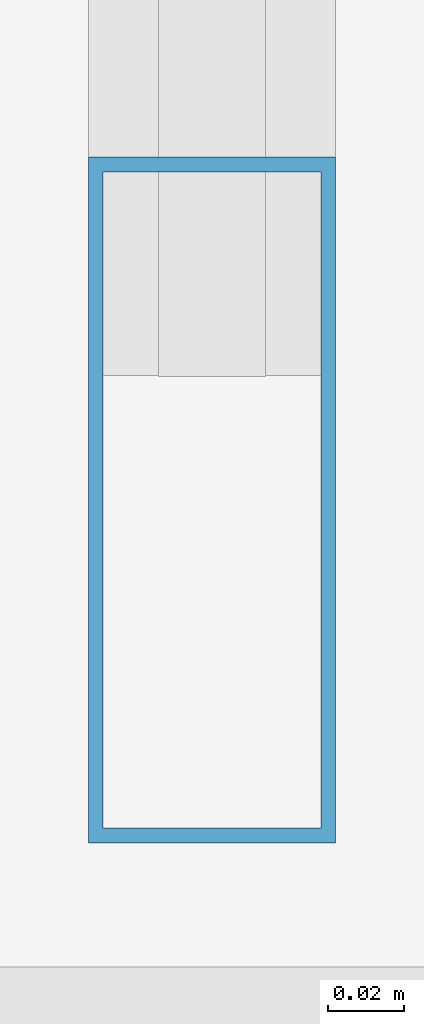
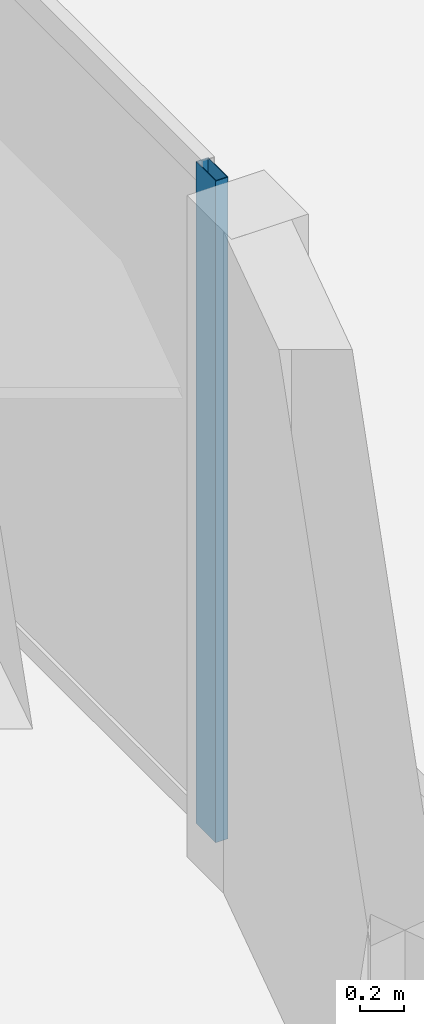
# One storey, part 14 of 38: 1 member, 1 element without a shape of its own.
"""IFC4 building model written with IfcOpenShell, lengths in metres."""

import ifcopenshell
import ifcopenshell.guid

model = None  # the IFC model being written
_history = None  # IfcOwnerHistory: only IFC2X3 demands one
_inside = {}  # id of a spatial element -> (the spatial element, [elements in it])
_under = {}  # id of a project, library or spatial element -> (it, [spatial elements below it])
_declared = {}  # id of a project -> (the project, [libraries it declares])
_typed = {}  # id of a type object -> (the type object, [elements of that type])
_made_of = {}  # id of a material, layer set ... -> (it, [elements and type objects made of it])


def new_model(schema):
    """Start an empty IFC model of exactly this schema.

    Asked for "IFC4X3", IfcOpenShell would pick the latest addendum, in which some entities
    have other attributes; the version numbers below select the first issue.
    IFC2X3 requires an IfcOwnerHistory on every rooted entity: one is made here for all.
    """
    global model, _history
    if schema == "IFC4X3":
        model = ifcopenshell.file(schema_version=(4, 3, 0, 0))
    else:
        model = ifcopenshell.file(schema=schema)
    _inside.clear()
    _under.clear()
    _declared.clear()
    _typed.clear()
    _made_of.clear()
    _history = None
    if model.schema == "IFC2X3":
        org = make("IfcOrganization", Name="unknown")
        user = make(
            "IfcPersonAndOrganization",
            ThePerson=make("IfcPerson", FamilyName="unknown"),
            TheOrganization=org,
        )
        app = make(
            "IfcApplication",
            ApplicationDeveloper=org,
            Version="unknown",
            ApplicationFullName="unknown",
            ApplicationIdentifier="unknown",
        )
        _history = make(
            "IfcOwnerHistory",
            OwningUser=user,
            OwningApplication=app,
            ChangeAction="ADDED",
            CreationDate=0,
        )
    return model


def make(cls, **values):
    """One entity of the class cls with the attributes given. An attribute that is None is left unset."""
    return model.create_entity(
        cls, **{name: value for name, value in values.items() if value is not None}
    )


def rooted(cls, **values):
    """An entity with a GlobalId (a new one), such as an element, a storey or a relation."""
    return make(cls, GlobalId=ifcopenshell.guid.new(), OwnerHistory=_history, **values)


def si_unit(unit_type, name, prefix=None):
    """IfcSIUnit, for example si_unit("LENGTHUNIT", "METRE", prefix="MILLI")."""
    return make("IfcSIUnit", UnitType=unit_type, Prefix=prefix, Name=name)


def assignment(units):
    """IfcUnitAssignment: the units of a project."""
    return None if units is None else make("IfcUnitAssignment", Units=units)


def point(xyz):
    """IfcCartesianPoint."""
    return None if xyz is None else make("IfcCartesianPoint", Coordinates=xyz)


def direction(xyz):
    """IfcDirection."""
    return None if xyz is None else make("IfcDirection", DirectionRatios=xyz)


def frame(location, z_axis=None, x_axis=None):
    """IfcAxis2Placement3D, a coordinate frame: its origin and axes. An axis left out is left unset."""
    return make(
        "IfcAxis2Placement3D",
        Location=point(location),
        Axis=direction(z_axis),
        RefDirection=direction(x_axis),
    )


def frame_2d(location, x_axis=None):
    """IfcAxis2Placement2D, a coordinate frame in the plane: its origin and x axis."""
    return make(
        "IfcAxis2Placement2D", Location=point(location), RefDirection=direction(x_axis)
    )


def origin():
    """The frame at (0, 0, 0) with its axes left unset."""
    return frame((0.0, 0.0, 0.0))


def origin_2d():
    """The frame at (0, 0) in the plane with its x axis left unset."""
    return frame_2d((0.0, 0.0))


def place(relative_to, where):
    """IfcLocalPlacement: puts the frame where relative to a parent placement (None: the world)."""
    return make(
        "IfcLocalPlacement", PlacementRelTo=relative_to, RelativePlacement=where
    )


def context(
    kind, dimensions, precision=None, world=None, true_north=None, identifier=None
):
    """IfcGeometricRepresentationContext, for example the 3D "Model" context."""
    return make(
        "IfcGeometricRepresentationContext",
        ContextIdentifier=identifier,
        ContextType=kind,
        CoordinateSpaceDimension=dimensions,
        Precision=precision,
        WorldCoordinateSystem=world,
        TrueNorth=true_north,
    )


def subcontext(parent, identifier, kind, view, scale=None):
    """IfcGeometricRepresentationSubContext, for example "Body" below "Model"."""
    return make(
        "IfcGeometricRepresentationSubContext",
        ContextIdentifier=identifier,
        ContextType=kind,
        ParentContext=parent,
        TargetScale=scale,
        TargetView=view,
    )


def project(units=None, contexts=None):
    """IfcProject with its units and contexts."""
    return rooted(
        "IfcProject",
        Name="project",
        RepresentationContexts=contexts,
        UnitsInContext=assignment(units),
    )


def spatial(cls, under=None, at=None, **own):
    """A site, building, storey or space (cls), placed at a placement, below another one or the project."""
    s = rooted(cls, ObjectPlacement=at, **own)
    if under is not None:
        _under.setdefault(under.id(), (under, []))[1].append(s)
    return s


def profile(cls, at=None, kind="AREA", **sizes):
    """A parametric profile (cls). Its sizes go by their IFC names, for example OverallWidth=200.0."""
    return make(cls, ProfileType=kind, Position=at, **sizes)


def hollow_rectangle(**sizes):
    """IfcRectangleHollowProfileDef."""
    return profile("IfcRectangleHollowProfileDef", **sizes)


def extrude(swept, where, along, depth):
    """IfcExtrudedAreaSolid: the profile swept, set in the frame where, extruded along a direction by depth."""
    return make(
        "IfcExtrudedAreaSolid",
        SweptArea=swept,
        Position=where,
        ExtrudedDirection=direction(along),
        Depth=depth,
    )


def shape(context_of_items, identifier, shape_type, items):
    """IfcShapeRepresentation: the items that make up one representation, for example the "Body"."""
    return make(
        "IfcShapeRepresentation",
        ContextOfItems=context_of_items,
        RepresentationIdentifier=identifier,
        RepresentationType=shape_type,
        Items=items,
    )


def material(Name=None, Category=None):
    """IfcMaterial."""
    return make("IfcMaterial", Name=Name, Category=Category)


def layer(
    of_material, thickness, ventilated=None, Name=None, Category=None, Priority=None
):
    """IfcMaterialLayer: one layer of a wall or slab, of a material (None: an air gap)."""
    return make(
        "IfcMaterialLayer",
        Material=of_material,
        LayerThickness=thickness,
        IsVentilated=ventilated,
        Name=Name,
        Category=Category,
        Priority=Priority,
    )


def layer_set(layers, Name=None):
    """IfcMaterialLayerSet."""
    return make("IfcMaterialLayerSet", MaterialLayers=layers, LayerSetName=Name)


def material_profile(
    of_material, cross_section, Name=None, Category=None, Priority=None
):
    """IfcMaterialProfile: a cross section and its material."""
    return make(
        "IfcMaterialProfile",
        Name=Name,
        Material=of_material,
        Profile=cross_section,
        Priority=Priority,
        Category=Category,
    )


def profile_set(profiles, Name=None, composite=None):
    """IfcMaterialProfileSet."""
    return make(
        "IfcMaterialProfileSet",
        Name=Name,
        MaterialProfiles=profiles,
        CompositeProfile=composite,
    )


def made_of(thing, what):
    """Note that an element or type object is made of a material, layer set ...; save() writes the relation."""
    if what is not None:
        _made_of.setdefault(what.id(), (what, []))[1].append(thing)
    return thing


def type_object(cls, material=None, **own):
    """A type object (cls), such as IfcWallType, which elements share."""
    return made_of(rooted(cls, **own), material)


def element(
    cls,
    number,
    at=None,
    inside=None,
    cuts=None,
    type_object=None,
    material=None,
    context=None,
    identifier="Body",
    shape_type=None,
    held_by="IfcProductDefinitionShape",
    body=None,
    shapes=None,
    **own,
):
    """One element of the class cls, such as IfcWall. Its Tag is "e" and its number.

    at: its placement. inside: the storey or other place that contains it. cuts: it is an
    opening in that element (IfcRelVoidsElement). A single representation is given by context,
    identifier, shape_type and body (its items); several are given by shapes. held_by: the class
    of the entity that holds the representations. save() writes the other relations.
    """
    e = rooted(cls, Tag="e%d" % number, ObjectPlacement=at, **own)
    if body is not None:
        shapes = [shape(context, identifier, shape_type, body)]
    if shapes is not None:
        e.Representation = make(held_by, Representations=shapes)
    if inside is not None:
        _inside.setdefault(inside.id(), (inside, []))[1].append(e)
    if cuts is not None:
        rooted(
            "IfcRelVoidsElement", RelatingBuildingElement=cuts, RelatedOpeningElement=e
        )
    if type_object is not None:
        _typed.setdefault(type_object.id(), (type_object, []))[1].append(e)
    return made_of(e, material)


def aggregate(whole, parts):
    """IfcRelAggregates: a whole, such as a stair, and the parts it consists of."""
    return rooted("IfcRelAggregates", RelatingObject=whole, RelatedObjects=parts)


def save(model, path):
    """Write the relations noted so far, then the file.

    IfcRelAggregates (storeys below a building ...), IfcRelContainedInSpatialStructure (elements
    in a storey), IfcRelDefinesByType, IfcRelAssociatesMaterial and IfcRelDeclares: one each for
    every whole, place, type object, material and project.
    """
    for whole, parts in _under.values():
        aggregate(whole, parts)
    for where, things in _inside.values():
        rooted(
            "IfcRelContainedInSpatialStructure",
            RelatedElements=things,
            RelatingStructure=where,
        )
    for kind, things in _typed.values():
        rooted("IfcRelDefinesByType", RelatedObjects=things, RelatingType=kind)
    for what, things in _made_of.values():
        rooted("IfcRelAssociatesMaterial", RelatedObjects=things, RelatingMaterial=what)
    for by, libraries in _declared.values():
        rooted("IfcRelDeclares", RelatingContext=by, RelatedDefinitions=libraries)
    model.write(path)


model = new_model("IFC4")

# Units and contexts
model_context = context("Model", 3, precision=1e-05, world=origin(), true_north=direction((0.0, 1.0)))
body_context = subcontext(model_context, "Body", "Model", "MODEL_VIEW")
ifc_project = project(units=[si_unit("LENGTHUNIT", "METRE"), si_unit("AREAUNIT", "SQUARE_METRE"), si_unit("VOLUMEUNIT", "CUBIC_METRE"), si_unit("PLANEANGLEUNIT", "RADIAN"), si_unit("MASSUNIT", "GRAM", prefix="KILO")], contexts=[model_context])

# Site, building, storey
site_placement = place(None, origin())
site = spatial("IfcSite", under=ifc_project, at=site_placement, CompositionType="ELEMENT")
building_placement = place(site_placement, origin())
building = spatial("IfcBuilding", under=site, at=building_placement, Name="Kiyonajd Concourse Tower", CompositionType="ELEMENT")
storey_placement = place(building_placement, frame((0.0, 0.0, 21.60009765625)))
storey = spatial("IfcBuildingStorey", under=building, at=storey_placement, Name="L06", CompositionType="ELEMENT", Elevation=21.60009765625)

# Curtain wall, member
ifc_material = material(Name="Thermally Broken Anodised Aluminium", Category="aluminium")
ifc_layer = layer(ifc_material, 0.179931640625)
ifc_layer_set = layer_set([ifc_layer], Name="Thermally Broken Anodised Aluminium")
curtain_wall_type = type_object("IfcCurtainWallType", Name="CW-SYS-02", PredefinedType="NOTDEFINED", material=ifc_layer_set)
curtain_wall_placement = place(storey_placement, origin())
curtain_wall = element("IfcCurtainWall", 1, at=curtain_wall_placement, inside=storey, type_object=curtain_wall_type, Name="L06 Unitised Curtain Wall CW2", PredefinedType="NOTDEFINED")
ifc_material_profile = material_profile(ifc_material, hollow_rectangle(XDim=0.06494140625, YDim=0.179931640625, WallThickness=0.00390625, at=origin_2d()), Name="MULL-65x180")
ifc_profile_set = profile_set([ifc_material_profile], Name="Thermally Broken Anodised Aluminium")
member_type = type_object("IfcMemberType", Name="MB-CW-MULL1", PredefinedType="MULLION", material=ifc_profile_set)
member_placement = place(storey_placement, frame((79.0400390625, 15.343505859375, 0.0), z_axis=(0.0, 0.0, 1.0), x_axis=(1.0, 0.0, 0.0)))
member = element("IfcMember", 2, at=member_placement, type_object=member_type, Name="CW2 mullion 7", PredefinedType="MULLION", context=body_context, shape_type="SweptSolid", body=[
    extrude(hollow_rectangle(XDim=0.06494140625, YDim=0.179931640625, WallThickness=0.00390625, at=origin_2d()), origin(), (0.0, 0.0, 1.0), 3.639892578125),
])
aggregate(curtain_wall, [member])

save(model, "model.ifc")
